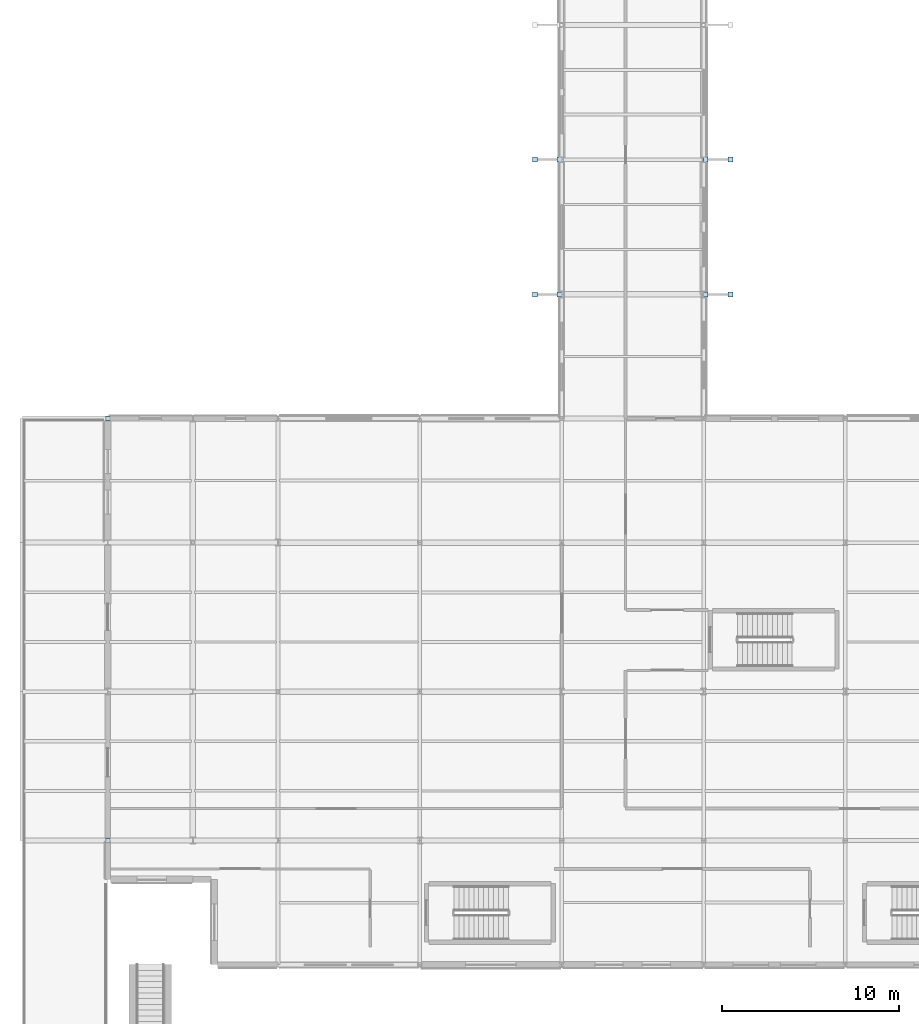
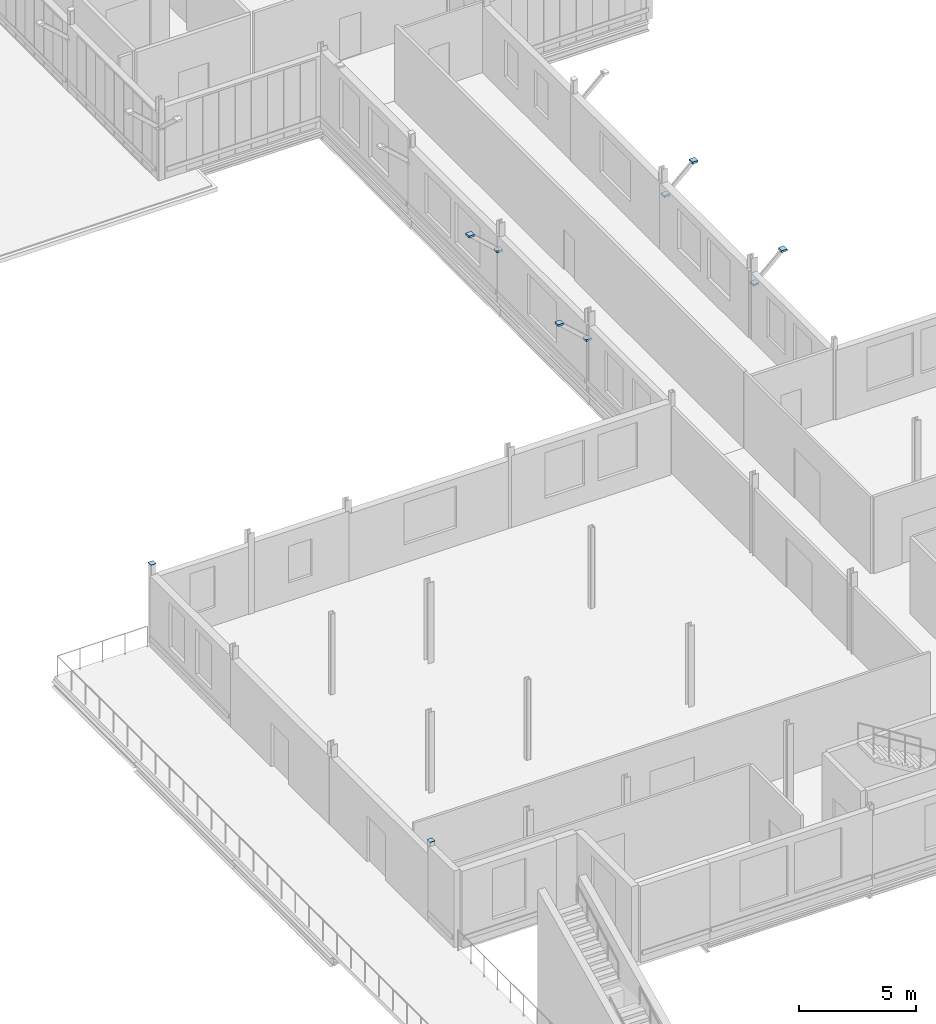
# One storey, part 74 of 101: 10 plates.
"""IFC4 building model written with IfcOpenShell, lengths in metres."""

from ifc_helpers import new_model, si_unit, direction, frame, origin, origin_2d, place, context, subcontext, project, spatial, rectangle, extrude, material, layer, layer_set, type_object, element, save


model = new_model("IFC4")

# Units and contexts
model_context = context("Model", 3, precision=1e-05, world=origin(), true_north=direction((0.0, 1.0)))
body_context = subcontext(model_context, "Body", "Model", "MODEL_VIEW")
ifc_project = project(units=[si_unit("LENGTHUNIT", "METRE"), si_unit("AREAUNIT", "SQUARE_METRE"), si_unit("VOLUMEUNIT", "CUBIC_METRE"), si_unit("PLANEANGLEUNIT", "RADIAN"), si_unit("MASSUNIT", "GRAM", prefix="KILO")], contexts=[model_context])

# Site, building, storey
site_placement = place(None, origin())
site = spatial("IfcSite", under=ifc_project, at=site_placement, CompositionType="ELEMENT")
building_placement = place(site_placement, origin())
building = spatial("IfcBuilding", under=site, at=building_placement, Name="Vekula Escarpment Museum", CompositionType="ELEMENT")
storey_placement = place(building_placement, frame((0.0, 0.0, 18.0)))
storey = spatial("IfcBuildingStorey", under=building, at=storey_placement, Name="L04", CompositionType="ELEMENT", Elevation=18.0)

# Plates
ifc_material_1 = material(Name="Steel S355", Category="steel")
ifc_layer_1 = layer(ifc_material_1, 0.01611328125)
ifc_layer_set_1 = layer_set([ifc_layer_1], Name="Steel S355")
plate_type_1 = type_object("IfcPlateType", Name="PL-CAP-16", PredefinedType="SHEET", material=ifc_layer_set_1)
for number, where, z_axis, x_axis, name in (
    (1, (39.88525390625, 90.39990234375, 2.694091796875), (0.0, 0.0, 1.0), (1.0, 0.0, 0.0), "Hollow section end cap CP-16"),
    (2, (38.49462890625, 90.39990234375, 3.9638671875), (0.0, 0.0, 1.0), (1.0, 0.0, 0.0), "Hollow section end cap CP-16"),
    (3, (39.88525390625, 98.0, 2.694091796875), (0.0, 0.0, 1.0), (1.0, 0.0, 0.0), "Hollow section end cap CP-16"),
    (4, (38.49462890625, 98.0, 3.9638671875), (0.0, 0.0, 1.0), (1.0, 0.0, 0.0), "Hollow section end cap CP-16"),
    (5, (48.11474609375, 90.39990234375, 2.694091796875), (0.0, 0.0, 1.0), (1.0, 0.0, 0.0), "Hollow section end cap CP-16"),
    (6, (49.50537109375, 90.39990234375, 3.9638671875), (0.0, 0.0, 1.0), (1.0, 0.0, 0.0), "Hollow section end cap CP-16"),
    (7, (48.11474609375, 98.0, 2.694091796875), (0.0, 0.0, 1.0), (1.0, 0.0, 0.0), "Hollow section end cap CP-16"),
    (8, (49.50537109375, 98.0, 3.9638671875), (0.0, 0.0, 1.0), (1.0, 0.0, 0.0), "Hollow section end cap CP-16"),
):
    element("IfcPlate", number, at=place(storey_placement, frame(where, z_axis=z_axis, x_axis=x_axis)), inside=storey, type_object=plate_type_1, Name=name, PredefinedType="SHEET", context=body_context, shape_type="SweptSolid", body=[
        extrude(rectangle(XDim=0.280029296875, YDim=0.280029296875, at=origin_2d()), origin(), (0.0, 0.0, 1.0), 0.10205078125),
    ])
ifc_material_2 = material(Name="Steel S355", Category="steel")
ifc_layer_2 = layer(ifc_material_2, 0.02001953125)
ifc_layer_set_2 = layer_set([ifc_layer_2], Name="Steel S355")
plate_type_2 = type_object("IfcPlateType", Name="PL-CAP-20", PredefinedType="SHEET", material=ifc_layer_set_2)
for number, where, z_axis, x_axis, name in (
    (9, (14.39990234375, 59.60009765625, 4.197998046875), (0.0, 0.0, 1.0), (1.0, 0.0, 0.0), "Hollow section end cap CP-20"),
    (10, (14.39990234375, 83.39990234375, 4.197998046875), (0.0, 0.0, 1.0), (1.0, 0.0, 0.0), "Hollow section end cap CP-20"),
):
    element("IfcPlate", number, at=place(storey_placement, frame(where, z_axis=z_axis, x_axis=x_axis)), inside=storey, type_object=plate_type_2, Name=name, PredefinedType="SHEET", context=body_context, shape_type="SweptSolid", body=[
        extrude(rectangle(XDim=0.260009765625, YDim=0.260009765625, at=origin_2d()), origin(), (0.0, 0.0, 1.0), 0.02001953125),
    ])

save(model, "model.ifc")
